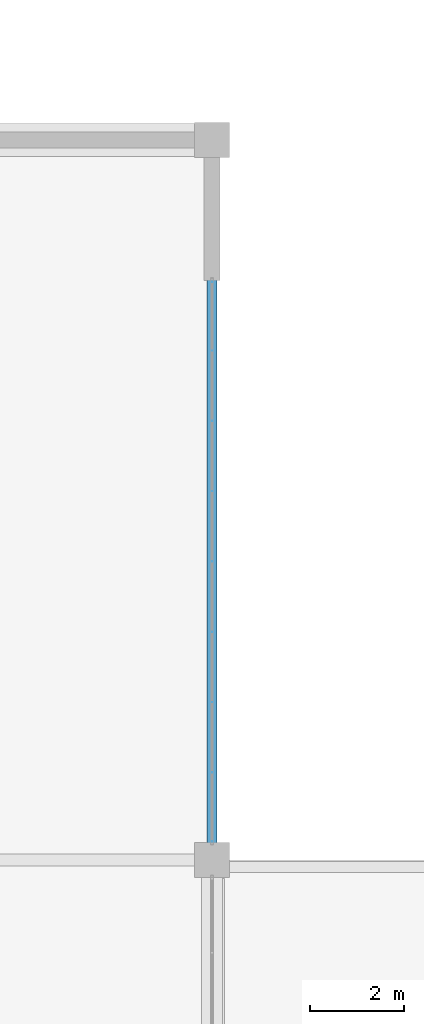
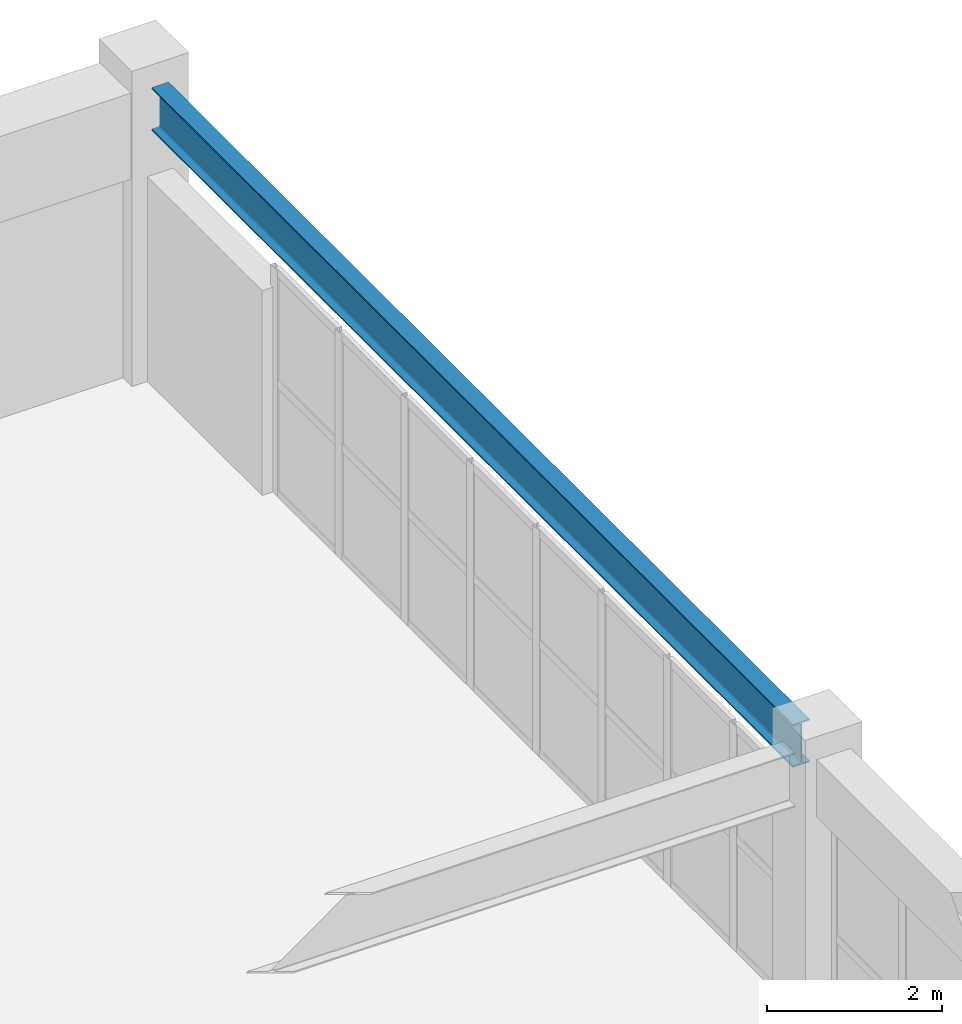
# One storey, part 52 of 90: 1 beam.
"""IFC4 building model written with IfcOpenShell, lengths in metres."""

from ifc_helpers import new_model, si_unit, direction, frame, origin, origin_2d, place, context, subcontext, project, spatial, i_section, extrude, material, material_profile, profile_set, type_object, element, save


model = new_model("IFC4")

# Units and contexts
model_context = context("Model", 3, precision=1e-05, world=origin(), true_north=direction((0.0, 1.0)))
body_context = subcontext(model_context, "Body", "Model", "MODEL_VIEW")
ifc_project = project(units=[si_unit("LENGTHUNIT", "METRE"), si_unit("AREAUNIT", "SQUARE_METRE"), si_unit("VOLUMEUNIT", "CUBIC_METRE"), si_unit("PLANEANGLEUNIT", "RADIAN"), si_unit("MASSUNIT", "GRAM", prefix="KILO")], contexts=[model_context])

# Site, building, storey
site_placement = place(None, origin())
site = spatial("IfcSite", under=ifc_project, at=site_placement, CompositionType="ELEMENT")
building_placement = place(site_placement, origin())
building = spatial("IfcBuilding", under=site, at=building_placement, Name="Muzn Square Opera House", CompositionType="ELEMENT")
storey_placement = place(building_placement, frame((0.0, 0.0, 9.800048828125)))
storey = spatial("IfcBuildingStorey", under=building, at=storey_placement, Name="L02", CompositionType="ELEMENT", Elevation=9.800048828125)

# Beam
ifc_material = material(Name="Steel S355", Category="steel")
ifc_material_profile = material_profile(ifc_material, i_section(OverallWidth=0.219970703125, OverallDepth=0.60009765625, WebThickness=0.011962890625, FlangeThickness=0.01904296875, FilletRadius=0.02392578125, at=origin_2d()), Name="IPE 600", Category="steel")
ifc_profile_set = profile_set([ifc_material_profile], Name="Steel S355")
beam_type = type_object("IfcBeamType", Name="Stage Gallery Beam IPE600", PredefinedType="BEAM", material=ifc_profile_set)
beam_placement = place(storey_placement, frame((170.0, 98.967041015625, 3.780029296875), z_axis=(0.0, 1.0, 0.0), x_axis=(-1.0, 0.0, 0.0)))
element("IfcBeam", 1, at=beam_placement, inside=storey, type_object=beam_type, Name="Primary Girder BM-N114-L02-019", PredefinedType="BEAM", context=body_context, shape_type="SweptSolid", body=[
    extrude(i_section(OverallWidth=0.219970703125, OverallDepth=0.60009765625, WebThickness=0.011962890625, FlangeThickness=0.01904296875, FilletRadius=0.02392578125, at=origin_2d()), origin(), (0.0, 0.0, 1.0), 14.666015625),
])

save(model, "model.ifc")
